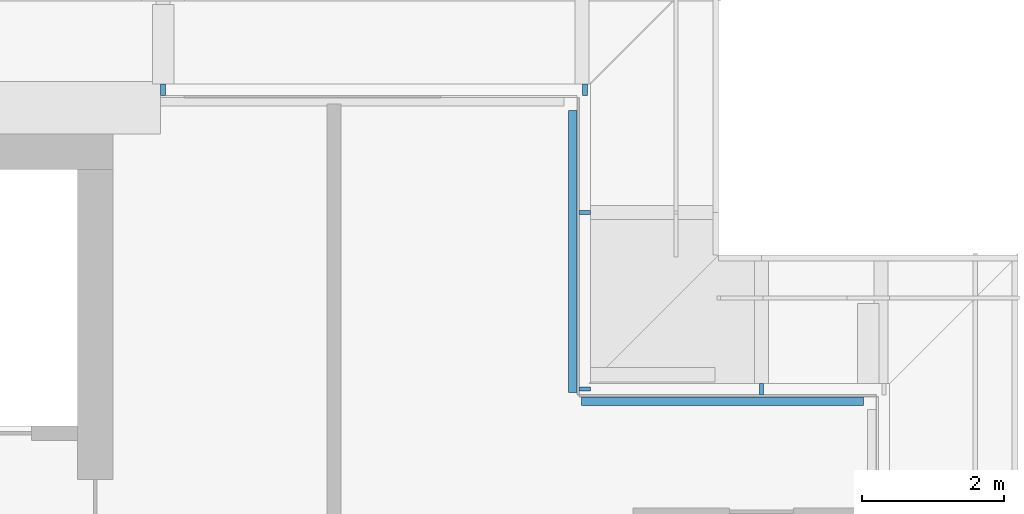
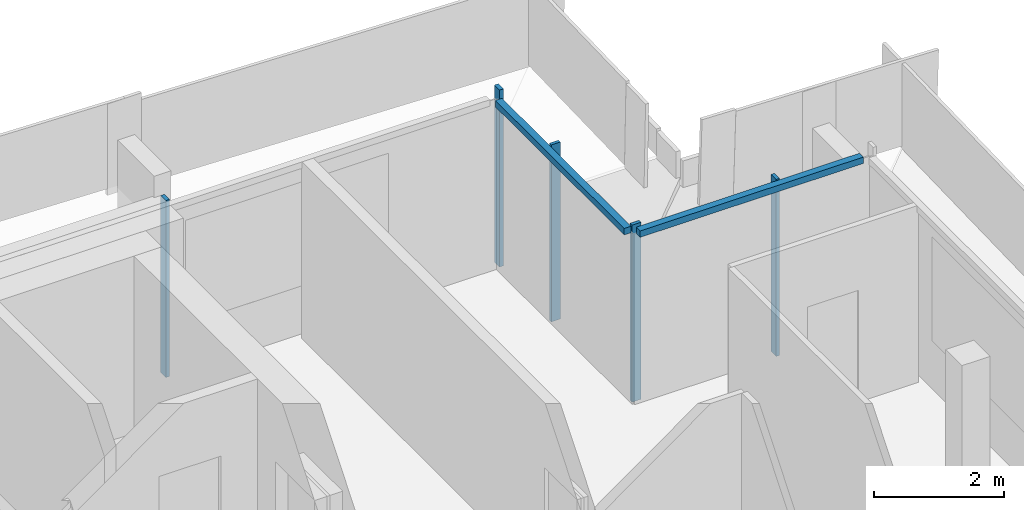
# One storey, part 10 of 27: 7 members, 3 elements without a shape of their own.
"""IFC4 building model written with IfcOpenShell, lengths in metres."""

from ifc_helpers import new_model, si_unit, direction, frame, origin, origin_2d, place, context, subcontext, project, spatial, rectangle, extrude, material, material_profile, profile_set, type_object, element, aggregate, save


model = new_model("IFC4")

# Units and contexts
model_context = context("Model", 3, precision=1e-05, world=origin(), true_north=direction((0.0, 1.0)))
body_context = subcontext(model_context, "Body", "Model", "MODEL_VIEW")
ifc_project = project(units=[si_unit("LENGTHUNIT", "METRE"), si_unit("AREAUNIT", "SQUARE_METRE"), si_unit("VOLUMEUNIT", "CUBIC_METRE"), si_unit("PLANEANGLEUNIT", "RADIAN"), si_unit("MASSUNIT", "GRAM", prefix="KILO")], contexts=[model_context])

# Site, building, storey
site_placement = place(None, origin())
site = spatial("IfcSite", under=ifc_project, at=site_placement, CompositionType="ELEMENT")
building_placement = place(site_placement, origin())
building = spatial("IfcBuilding", under=site, at=building_placement, Name="Saffron Gate Tower", CompositionType="ELEMENT")
storey_placement = place(building_placement, frame((0.0, 0.0, 274.35009765625)))
storey = spatial("IfcBuildingStorey", under=building, at=storey_placement, Name="L66", CompositionType="ELEMENT", Elevation=274.35009765625)

# Curtain wall, members
ifc_material = material(Name="Aluminium, bronze anodised", Category="aluminium")
curtain_wall_type_1 = type_object("IfcCurtainWallType", Name="CWS3 curtain wall rear facade", PredefinedType="NOTDEFINED", material=ifc_material)
curtain_wall_1_placement = place(storey_placement, origin())
curtain_wall_1 = element("IfcCurtainWall", 1, at=curtain_wall_1_placement, inside=storey, type_object=curtain_wall_type_1, Name="CWS3 run 7", PredefinedType="NOTDEFINED")
ifc_material_profile_1 = material_profile(ifc_material, rectangle(XDim=0.159912109375, YDim=0.070068359375, at=origin_2d()))
ifc_profile_set_1 = profile_set([ifc_material_profile_1], Name="Aluminium, bronze anodised")
member_type_1 = type_object("IfcMemberType", Name="CWS3 mullion 70x160", PredefinedType="MULLION", material=ifc_profile_set_1)
member_1_placement = place(storey_placement, frame((114.52001953125, 75.52001953125, 0.0), z_axis=(0.0, 0.0, 1.0), x_axis=(0.0, -1.0, 0.0)))
member_1 = element("IfcMember", 2, at=member_1_placement, type_object=member_type_1, Name="CWS3 mullion 1", PredefinedType="MULLION", context=body_context, shape_type="SweptSolid", body=[
    extrude(rectangle(XDim=0.159912109375, YDim=0.070068359375, at=origin_2d()), origin(), (0.0, 0.0, 1.0), 3.31982421875),
])
member_2_placement = place(storey_placement, frame((108.60009765625, 75.52001953125, 0.0), z_axis=(0.0, 0.0, 1.0), x_axis=(0.0, -1.0, 0.0)))
member_2 = element("IfcMember", 3, at=member_2_placement, type_object=member_type_1, Name="CWS3 mullion 2", PredefinedType="MULLION", context=body_context, shape_type="SweptSolid", body=[
    extrude(rectangle(XDim=0.159912109375, YDim=0.070068359375, at=origin_2d()), origin(), (0.0, 0.0, 1.0), 3.31982421875),
])
aggregate(curtain_wall_1, [member_1, member_2])

# Curtain wall, member
curtain_wall_type_2 = type_object("IfcCurtainWallType", Name="CWS4 curtain wall corner returns", PredefinedType="NOTDEFINED", material=ifc_material)
curtain_wall_2_placement = place(storey_placement, origin())
curtain_wall_2 = element("IfcCurtainWall", 4, at=curtain_wall_2_placement, inside=storey, type_object=curtain_wall_type_2, Name="CWS4 run 5", PredefinedType="NOTDEFINED")
ifc_material_profile_2 = material_profile(ifc_material, rectangle(XDim=0.1201171875, YDim=0.1201171875, at=origin_2d()))
ifc_profile_set_2 = profile_set([ifc_material_profile_2], Name="Aluminium, bronze anodised")
member_type_2 = type_object("IfcMemberType", Name="CWS4 head transom", PredefinedType="USERDEFINED", material=ifc_profile_set_2)
member_3_placement = place(storey_placement, frame((118.431884765625, 71.152099609375, 3.260009765625), z_axis=(-1.0, 0.0, 0.0), x_axis=(0.0, -1.0, 0.0)))
member_3 = element("IfcMember", 5, at=member_3_placement, type_object=member_type_2, Name="CWS4 head transom", ObjectType="TRANSOM", PredefinedType="USERDEFINED", context=body_context, shape_type="SweptSolid", body=[
    extrude(rectangle(XDim=0.1201171875, YDim=0.1201171875, at=origin_2d()), origin(), (0.0, 0.0, 1.0), 3.9599609375),
])

curtain_wall_3_placement = place(storey_placement, origin())
curtain_wall_3 = element("IfcCurtainWall", 6, at=curtain_wall_3_placement, inside=storey, type_object=curtain_wall_type_2, Name="CWS4 run 6", PredefinedType="NOTDEFINED")
member_4_placement = place(storey_placement, frame((114.35205078125, 71.27197265625, 3.260009765625), z_axis=(0.0, 1.0, 0.0), x_axis=(-1.0, 0.0, 0.0)))
member_4 = element("IfcMember", 7, at=member_4_placement, type_object=member_type_2, Name="CWS4 head transom", ObjectType="TRANSOM", PredefinedType="USERDEFINED", context=body_context, shape_type="SweptSolid", body=[
    extrude(rectangle(XDim=0.1201171875, YDim=0.1201171875, at=origin_2d()), origin(), (0.0, 0.0, 1.0), 3.9599609375),
])

# Member
ifc_material_profile_3 = material_profile(ifc_material, rectangle(XDim=0.159912109375, YDim=0.06005859375, at=origin_2d()))
ifc_profile_set_3 = profile_set([ifc_material_profile_3], Name="Aluminium, bronze anodised")
member_type_3 = type_object("IfcMemberType", Name="CWS4 mullion 60x160", PredefinedType="MULLION", material=ifc_profile_set_3)
member_5_placement = place(storey_placement, frame((117.0, 71.320068359375, 0.0), z_axis=(0.0, 0.0, 1.0), x_axis=(0.0, -1.0, 0.0)))
member_5 = element("IfcMember", 8, at=member_5_placement, type_object=member_type_3, Name="CWS4 mullion 2", PredefinedType="MULLION", context=body_context, shape_type="SweptSolid", body=[
    extrude(rectangle(XDim=0.159912109375, YDim=0.06005859375, at=origin_2d()), origin(), (0.0, 0.0, 1.0), 3.31982421875),
])

aggregate(curtain_wall_2, [member_5, member_3])

member_6_placement = place(storey_placement, frame((114.52001953125, 71.320068359375, 0.0), z_axis=(0.0, 0.0, 1.0), x_axis=(-1.0, 0.0, 0.0)))
member_6 = element("IfcMember", 9, at=member_6_placement, type_object=member_type_3, Name="CWS4 mullion 1", PredefinedType="MULLION", context=body_context, shape_type="SweptSolid", body=[
    extrude(rectangle(XDim=0.159912109375, YDim=0.06005859375, at=origin_2d()), origin(), (0.0, 0.0, 1.0), 3.31982421875),
])

member_7_placement = place(storey_placement, frame((114.52001953125, 73.800048828125, 0.0), z_axis=(0.0, 0.0, 1.0), x_axis=(-1.0, 0.0, 0.0)))
member_7 = element("IfcMember", 10, at=member_7_placement, type_object=member_type_3, Name="CWS4 mullion 2", PredefinedType="MULLION", context=body_context, shape_type="SweptSolid", body=[
    extrude(rectangle(XDim=0.159912109375, YDim=0.06005859375, at=origin_2d()), origin(), (0.0, 0.0, 1.0), 3.31982421875),
])

aggregate(curtain_wall_3, [member_6, member_7, member_4])

save(model, "model.ifc")
